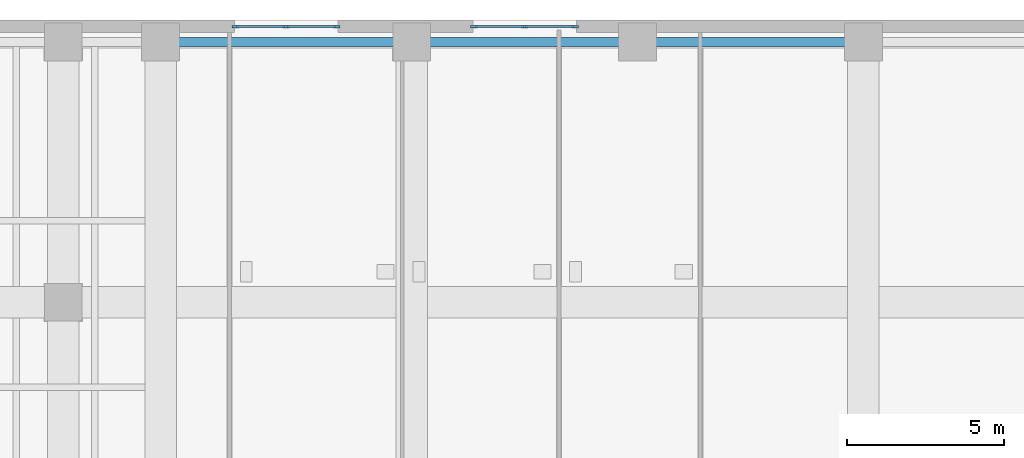
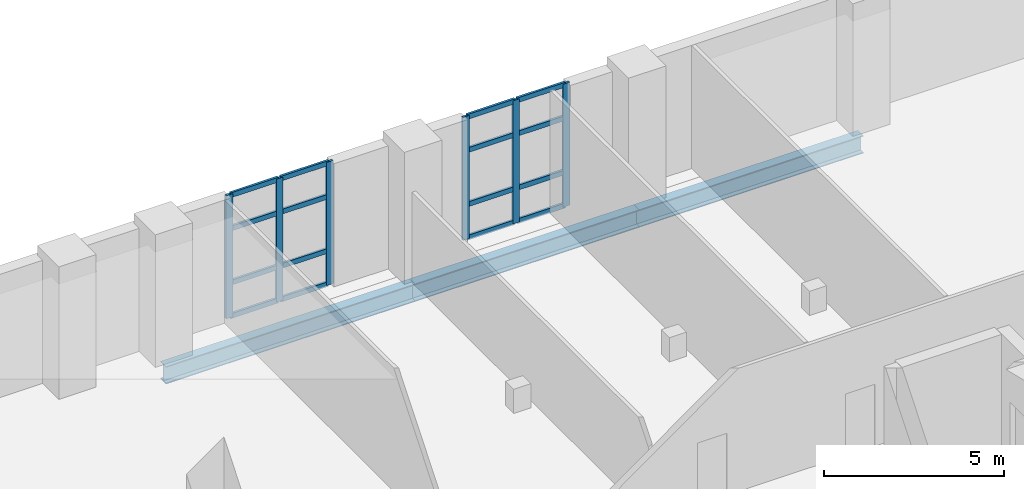
# One storey, part 5 of 15: 22 members, 3 beams, 2 elements without a shape of their own.
"""IFC4 building model written with IfcOpenShell, lengths in metres."""

from ifc_helpers import new_model, si_unit, direction, frame, origin, origin_2d, place, context, subcontext, project, spatial, rectangle, i_section, extrude, material, layer, layer_set, material_profile, profile_set, type_object, element, aggregate, save


model = new_model("IFC4")

# Units and contexts
model_context = context("Model", 3, precision=1e-05, world=origin(), true_north=direction((0.0, 1.0)))
body_context = subcontext(model_context, "Body", "Model", "MODEL_VIEW")
ifc_project = project(units=[si_unit("LENGTHUNIT", "METRE"), si_unit("AREAUNIT", "SQUARE_METRE"), si_unit("VOLUMEUNIT", "CUBIC_METRE"), si_unit("PLANEANGLEUNIT", "RADIAN"), si_unit("MASSUNIT", "GRAM", prefix="KILO")], contexts=[model_context])

# Site, building, storey
site_placement = place(None, origin())
site = spatial("IfcSite", under=ifc_project, at=site_placement, CompositionType="ELEMENT")
building_placement = place(site_placement, origin())
building = spatial("IfcBuilding", under=site, at=building_placement, Name="Kranthara Brick Stack", CompositionType="ELEMENT")
storey_placement = place(building_placement, frame((0.0, 0.0, 5.39990234375)))
storey = spatial("IfcBuildingStorey", under=building, at=storey_placement, Name="L01", CompositionType="ELEMENT", Elevation=5.39990234375)

# Beams
ifc_material_1 = material(Name="Steel S355", Category="steel")
ifc_material_profile_1 = material_profile(ifc_material_1, i_section(OverallWidth=0.300048828125, OverallDepth=0.60009765625, WebThickness=0.015380859375, FlangeThickness=0.030029296875, at=origin_2d()), Name="HEB 600")
ifc_profile_set_1 = profile_set([ifc_material_profile_1], Name="Steel S355")
beam_type = type_object("IfcBeamType", Name="BM-STL-HEB600", PredefinedType="BEAM", material=ifc_profile_set_1)
beam_placement = place(storey_placement, frame((12.800048828125, 52.199951171875, -0.75), z_axis=(1.0, 0.0, 0.0), x_axis=(0.0, 1.0, 0.0)))
element("IfcBeam", 1, at=beam_placement, inside=storey, type_object=beam_type, Name="L01 Perimeter Spandrel Beam 014", PredefinedType="BEAM", context=body_context, shape_type="SweptSolid", body=[
    extrude(i_section(OverallWidth=0.300048828125, OverallDepth=0.60009765625, WebThickness=0.015380859375, FlangeThickness=0.030029296875, at=origin_2d()), origin(), (0.0, 0.0, 1.0), 8.0),
])
for number, where, z_axis, x_axis, name in (
    (2, (20.800048828125, 52.199951171875, -0.75), (1.0, 0.0, 0.0), (0.0, 1.0, 0.0), "L01 Perimeter Spandrel Beam 015"),
    (3, (28.0, 52.199951171875, -0.75), (1.0, 0.0, 0.0), (0.0, 1.0, 0.0), "L01 Perimeter Spandrel Beam 016"),
):
    element("IfcBeam", number, at=place(storey_placement, frame(where, z_axis=z_axis, x_axis=x_axis)), inside=storey, type_object=beam_type, Name=name, PredefinedType="BEAM", context=body_context, shape_type="SweptSolid", body=[
        extrude(i_section(OverallWidth=0.300048828125, OverallDepth=0.60009765625, WebThickness=0.015380859375, FlangeThickness=0.030029296875, at=origin_2d()), origin(), (0.0, 0.0, 1.0), 7.199951171875),
    ])

# Curtain wall, members
ifc_material_2 = material(Name="Bronze anodised aluminium and low-E glass", Category="aluminium")
ifc_layer = layer(ifc_material_2, 0.219970703125)
ifc_layer_set = layer_set([ifc_layer], Name="Bronze anodised aluminium and low-E glass")
curtain_wall_type = type_object("IfcCurtainWallType", Name="CW-SYS2-PODIUM", PredefinedType="USERDEFINED", material=ifc_layer_set)
curtain_wall_1_placement = place(storey_placement, origin())
curtain_wall_1 = element("IfcCurtainWall", 4, at=curtain_wall_1_placement, inside=storey, type_object=curtain_wall_type, Name="L01 Curtain Wall CW2-L01-01", ObjectType="UNITISED CURTAIN WALL", PredefinedType="USERDEFINED")
ifc_material_3 = material(Name="Bronze anodised aluminium 6063-T6", Category="aluminium")
ifc_material_profile_2 = material_profile(ifc_material_3, rectangle(XDim=0.074951171875, YDim=0.219970703125, at=origin_2d()), Name="ALU MULLION 75x220")
ifc_profile_set_2 = profile_set([ifc_material_profile_2], Name="Bronze anodised aluminium 6063-T6")
member_type_1 = type_object("IfcMemberType", Name="CWM-75x220", PredefinedType="MULLION", material=ifc_profile_set_2)
member_1_placement = place(storey_placement, frame((15.1875, 52.68994140625, 0.0), z_axis=(0.0, 0.0, 1.0), x_axis=(0.0, 1.0, 0.0)))
member_1 = element("IfcMember", 5, at=member_1_placement, type_object=member_type_1, Name="CW mullion 1", PredefinedType="MULLION", context=body_context, shape_type="SweptSolid", body=[
    extrude(rectangle(XDim=0.074951171875, YDim=0.219970703125, at=origin_2d()), origin(), (0.0, 0.0, 1.0), 4.18017578125),
])
member_2_placement = place(storey_placement, frame((16.800048828125, 52.68994140625, 0.0), z_axis=(0.0, 0.0, 1.0), x_axis=(0.0, 1.0, 0.0)))
member_2 = element("IfcMember", 6, at=member_2_placement, type_object=member_type_1, Name="CW mullion 2", PredefinedType="MULLION", context=body_context, shape_type="SweptSolid", body=[
    extrude(rectangle(XDim=0.074951171875, YDim=0.219970703125, at=origin_2d()), origin(), (0.0, 0.0, 1.0), 4.18017578125),
])
member_3_placement = place(storey_placement, frame((18.41259765625, 52.68994140625, 0.0), z_axis=(0.0, 0.0, 1.0), x_axis=(0.0, 1.0, 0.0)))
member_3 = element("IfcMember", 7, at=member_3_placement, type_object=member_type_1, Name="CW mullion 3", PredefinedType="MULLION", context=body_context, shape_type="SweptSolid", body=[
    extrude(rectangle(XDim=0.074951171875, YDim=0.219970703125, at=origin_2d()), origin(), (0.0, 0.0, 1.0), 4.18017578125),
])

curtain_wall_2_placement = place(storey_placement, origin())
curtain_wall_2 = element("IfcCurtainWall", 8, at=curtain_wall_2_placement, inside=storey, type_object=curtain_wall_type, Name="L01 Curtain Wall CW2-L01-02", ObjectType="UNITISED CURTAIN WALL", PredefinedType="USERDEFINED")
member_4_placement = place(storey_placement, frame((22.78759765625, 52.68994140625, 0.0), z_axis=(0.0, 0.0, 1.0), x_axis=(0.0, 1.0, 0.0)))
member_4 = element("IfcMember", 9, at=member_4_placement, type_object=member_type_1, Name="CW mullion 1", PredefinedType="MULLION", context=body_context, shape_type="SweptSolid", body=[
    extrude(rectangle(XDim=0.074951171875, YDim=0.219970703125, at=origin_2d()), origin(), (0.0, 0.0, 1.0), 4.18017578125),
])
member_5_placement = place(storey_placement, frame((24.39990234375, 52.68994140625, 0.0), z_axis=(0.0, 0.0, 1.0), x_axis=(0.0, 1.0, 0.0)))
member_5 = element("IfcMember", 10, at=member_5_placement, type_object=member_type_1, Name="CW mullion 2", PredefinedType="MULLION", context=body_context, shape_type="SweptSolid", body=[
    extrude(rectangle(XDim=0.074951171875, YDim=0.219970703125, at=origin_2d()), origin(), (0.0, 0.0, 1.0), 4.18017578125),
])
member_6_placement = place(storey_placement, frame((26.012451171875, 52.68994140625, 0.0), z_axis=(0.0, 0.0, 1.0), x_axis=(0.0, 1.0, 0.0)))
member_6 = element("IfcMember", 11, at=member_6_placement, type_object=member_type_1, Name="CW mullion 3", PredefinedType="MULLION", context=body_context, shape_type="SweptSolid", body=[
    extrude(rectangle(XDim=0.074951171875, YDim=0.219970703125, at=origin_2d()), origin(), (0.0, 0.0, 1.0), 4.18017578125),
])

# Member
ifc_material_4 = material(Name="Bronze anodised aluminium 6063-T6", Category="aluminium")
ifc_material_profile_3 = material_profile(ifc_material_4, rectangle(XDim=0.074951171875, YDim=0.1650390625, at=origin_2d()), Name="ALU TRANSOM 75x165")
ifc_profile_set_3 = profile_set([ifc_material_profile_3], Name="Bronze anodised aluminium 6063-T6")
member_type_2 = type_object("IfcMemberType", Name="CWT-75x165", PredefinedType="USERDEFINED", material=ifc_profile_set_3)
member_7_placement = place(storey_placement, frame((15.22509765625, 52.68994140625, 0.03759765625), z_axis=(1.0, 0.0, 0.0), x_axis=(0.0, 1.0, 0.0)))
member_7 = element("IfcMember", 12, at=member_7_placement, type_object=member_type_2, Name="CW transom 1.1", ObjectType="TRANSOM", PredefinedType="USERDEFINED", context=body_context, shape_type="SweptSolid", body=[
    extrude(rectangle(XDim=0.074951171875, YDim=0.1650390625, at=origin_2d()), origin(), (0.0, 0.0, 1.0), 1.537353515625),
])

member_8_placement = place(storey_placement, frame((15.22509765625, 52.68994140625, 1.17041015625), z_axis=(1.0, 0.0, 0.0), x_axis=(0.0, 1.0, 0.0)))
member_8 = element("IfcMember", 13, at=member_8_placement, type_object=member_type_2, Name="CW transom 1.2", ObjectType="TRANSOM", PredefinedType="USERDEFINED", context=body_context, shape_type="SweptSolid", body=[
    extrude(rectangle(XDim=0.074951171875, YDim=0.1650390625, at=origin_2d()), origin(), (0.0, 0.0, 1.0), 1.537353515625),
])

member_9_placement = place(storey_placement, frame((15.22509765625, 52.68994140625, 3.009765625), z_axis=(1.0, 0.0, 0.0), x_axis=(0.0, 1.0, 0.0)))
member_9 = element("IfcMember", 14, at=member_9_placement, type_object=member_type_2, Name="CW transom 1.3", ObjectType="TRANSOM", PredefinedType="USERDEFINED", context=body_context, shape_type="SweptSolid", body=[
    extrude(rectangle(XDim=0.074951171875, YDim=0.1650390625, at=origin_2d()), origin(), (0.0, 0.0, 1.0), 1.537353515625),
])

member_10_placement = place(storey_placement, frame((15.22509765625, 52.68994140625, 4.142578125), z_axis=(1.0, 0.0, 0.0), x_axis=(0.0, 1.0, 0.0)))
member_10 = element("IfcMember", 15, at=member_10_placement, type_object=member_type_2, Name="CW transom 1.4", ObjectType="TRANSOM", PredefinedType="USERDEFINED", context=body_context, shape_type="SweptSolid", body=[
    extrude(rectangle(XDim=0.074951171875, YDim=0.1650390625, at=origin_2d()), origin(), (0.0, 0.0, 1.0), 1.537353515625),
])

member_11_placement = place(storey_placement, frame((16.83740234375, 52.68994140625, 0.03759765625), z_axis=(1.0, 0.0, 0.0), x_axis=(0.0, 1.0, 0.0)))
member_11 = element("IfcMember", 16, at=member_11_placement, type_object=member_type_2, Name="CW transom 2.1", ObjectType="TRANSOM", PredefinedType="USERDEFINED", context=body_context, shape_type="SweptSolid", body=[
    extrude(rectangle(XDim=0.074951171875, YDim=0.1650390625, at=origin_2d()), origin(), (0.0, 0.0, 1.0), 1.53759765625),
])

member_12_placement = place(storey_placement, frame((16.83740234375, 52.68994140625, 1.17041015625), z_axis=(1.0, 0.0, 0.0), x_axis=(0.0, 1.0, 0.0)))
member_12 = element("IfcMember", 17, at=member_12_placement, type_object=member_type_2, Name="CW transom 2.2", ObjectType="TRANSOM", PredefinedType="USERDEFINED", context=body_context, shape_type="SweptSolid", body=[
    extrude(rectangle(XDim=0.074951171875, YDim=0.1650390625, at=origin_2d()), origin(), (0.0, 0.0, 1.0), 1.53759765625),
])

member_13_placement = place(storey_placement, frame((16.83740234375, 52.68994140625, 3.009765625), z_axis=(1.0, 0.0, 0.0), x_axis=(0.0, 1.0, 0.0)))
member_13 = element("IfcMember", 18, at=member_13_placement, type_object=member_type_2, Name="CW transom 2.3", ObjectType="TRANSOM", PredefinedType="USERDEFINED", context=body_context, shape_type="SweptSolid", body=[
    extrude(rectangle(XDim=0.074951171875, YDim=0.1650390625, at=origin_2d()), origin(), (0.0, 0.0, 1.0), 1.53759765625),
])

member_14_placement = place(storey_placement, frame((16.83740234375, 52.68994140625, 4.142578125), z_axis=(1.0, 0.0, 0.0), x_axis=(0.0, 1.0, 0.0)))
member_14 = element("IfcMember", 19, at=member_14_placement, type_object=member_type_2, Name="CW transom 2.4", ObjectType="TRANSOM", PredefinedType="USERDEFINED", context=body_context, shape_type="SweptSolid", body=[
    extrude(rectangle(XDim=0.074951171875, YDim=0.1650390625, at=origin_2d()), origin(), (0.0, 0.0, 1.0), 1.53759765625),
])

aggregate(curtain_wall_1, [member_1, member_2, member_3, member_7, member_8, member_9, member_10, member_11, member_12, member_13, member_14])

member_15_placement = place(storey_placement, frame((22.824951171875, 52.68994140625, 0.03759765625), z_axis=(1.0, 0.0, 0.0), x_axis=(0.0, 1.0, 0.0)))
member_15 = element("IfcMember", 20, at=member_15_placement, type_object=member_type_2, Name="CW transom 1.1", ObjectType="TRANSOM", PredefinedType="USERDEFINED", context=body_context, shape_type="SweptSolid", body=[
    extrude(rectangle(XDim=0.074951171875, YDim=0.1650390625, at=origin_2d()), origin(), (0.0, 0.0, 1.0), 1.53759765625),
])

member_16_placement = place(storey_placement, frame((22.824951171875, 52.68994140625, 1.17041015625), z_axis=(1.0, 0.0, 0.0), x_axis=(0.0, 1.0, 0.0)))
member_16 = element("IfcMember", 21, at=member_16_placement, type_object=member_type_2, Name="CW transom 1.2", ObjectType="TRANSOM", PredefinedType="USERDEFINED", context=body_context, shape_type="SweptSolid", body=[
    extrude(rectangle(XDim=0.074951171875, YDim=0.1650390625, at=origin_2d()), origin(), (0.0, 0.0, 1.0), 1.53759765625),
])

member_17_placement = place(storey_placement, frame((22.824951171875, 52.68994140625, 3.009765625), z_axis=(1.0, 0.0, 0.0), x_axis=(0.0, 1.0, 0.0)))
member_17 = element("IfcMember", 22, at=member_17_placement, type_object=member_type_2, Name="CW transom 1.3", ObjectType="TRANSOM", PredefinedType="USERDEFINED", context=body_context, shape_type="SweptSolid", body=[
    extrude(rectangle(XDim=0.074951171875, YDim=0.1650390625, at=origin_2d()), origin(), (0.0, 0.0, 1.0), 1.53759765625),
])

member_18_placement = place(storey_placement, frame((22.824951171875, 52.68994140625, 4.142578125), z_axis=(1.0, 0.0, 0.0), x_axis=(0.0, 1.0, 0.0)))
member_18 = element("IfcMember", 23, at=member_18_placement, type_object=member_type_2, Name="CW transom 1.4", ObjectType="TRANSOM", PredefinedType="USERDEFINED", context=body_context, shape_type="SweptSolid", body=[
    extrude(rectangle(XDim=0.074951171875, YDim=0.1650390625, at=origin_2d()), origin(), (0.0, 0.0, 1.0), 1.53759765625),
])

member_19_placement = place(storey_placement, frame((24.4375, 52.68994140625, 0.03759765625), z_axis=(1.0, 0.0, 0.0), x_axis=(0.0, 1.0, 0.0)))
member_19 = element("IfcMember", 24, at=member_19_placement, type_object=member_type_2, Name="CW transom 2.1", ObjectType="TRANSOM", PredefinedType="USERDEFINED", context=body_context, shape_type="SweptSolid", body=[
    extrude(rectangle(XDim=0.074951171875, YDim=0.1650390625, at=origin_2d()), origin(), (0.0, 0.0, 1.0), 1.53759765625),
])

member_20_placement = place(storey_placement, frame((24.4375, 52.68994140625, 1.17041015625), z_axis=(1.0, 0.0, 0.0), x_axis=(0.0, 1.0, 0.0)))
member_20 = element("IfcMember", 25, at=member_20_placement, type_object=member_type_2, Name="CW transom 2.2", ObjectType="TRANSOM", PredefinedType="USERDEFINED", context=body_context, shape_type="SweptSolid", body=[
    extrude(rectangle(XDim=0.074951171875, YDim=0.1650390625, at=origin_2d()), origin(), (0.0, 0.0, 1.0), 1.53759765625),
])

member_21_placement = place(storey_placement, frame((24.4375, 52.68994140625, 3.009765625), z_axis=(1.0, 0.0, 0.0), x_axis=(0.0, 1.0, 0.0)))
member_21 = element("IfcMember", 26, at=member_21_placement, type_object=member_type_2, Name="CW transom 2.3", ObjectType="TRANSOM", PredefinedType="USERDEFINED", context=body_context, shape_type="SweptSolid", body=[
    extrude(rectangle(XDim=0.074951171875, YDim=0.1650390625, at=origin_2d()), origin(), (0.0, 0.0, 1.0), 1.53759765625),
])

member_22_placement = place(storey_placement, frame((24.4375, 52.68994140625, 4.142578125), z_axis=(1.0, 0.0, 0.0), x_axis=(0.0, 1.0, 0.0)))
member_22 = element("IfcMember", 27, at=member_22_placement, type_object=member_type_2, Name="CW transom 2.4", ObjectType="TRANSOM", PredefinedType="USERDEFINED", context=body_context, shape_type="SweptSolid", body=[
    extrude(rectangle(XDim=0.074951171875, YDim=0.1650390625, at=origin_2d()), origin(), (0.0, 0.0, 1.0), 1.53759765625),
])

aggregate(curtain_wall_2, [member_4, member_5, member_6, member_15, member_16, member_17, member_18, member_19, member_20, member_21, member_22])

save(model, "model.ifc")
